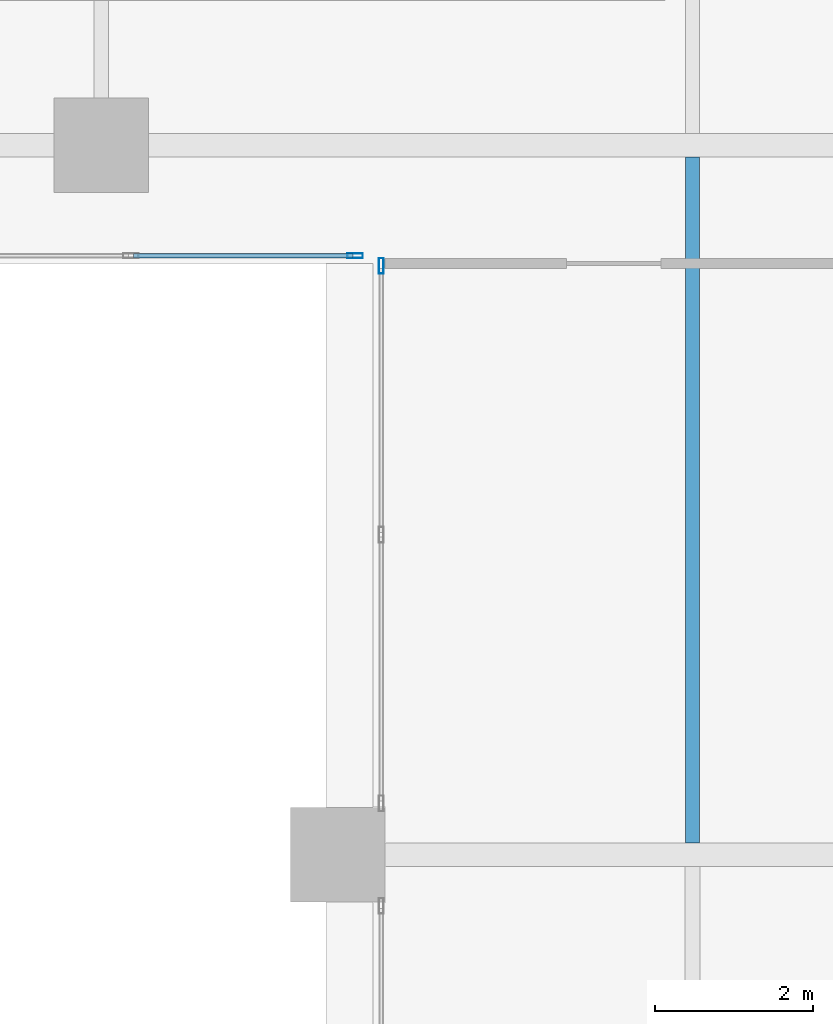
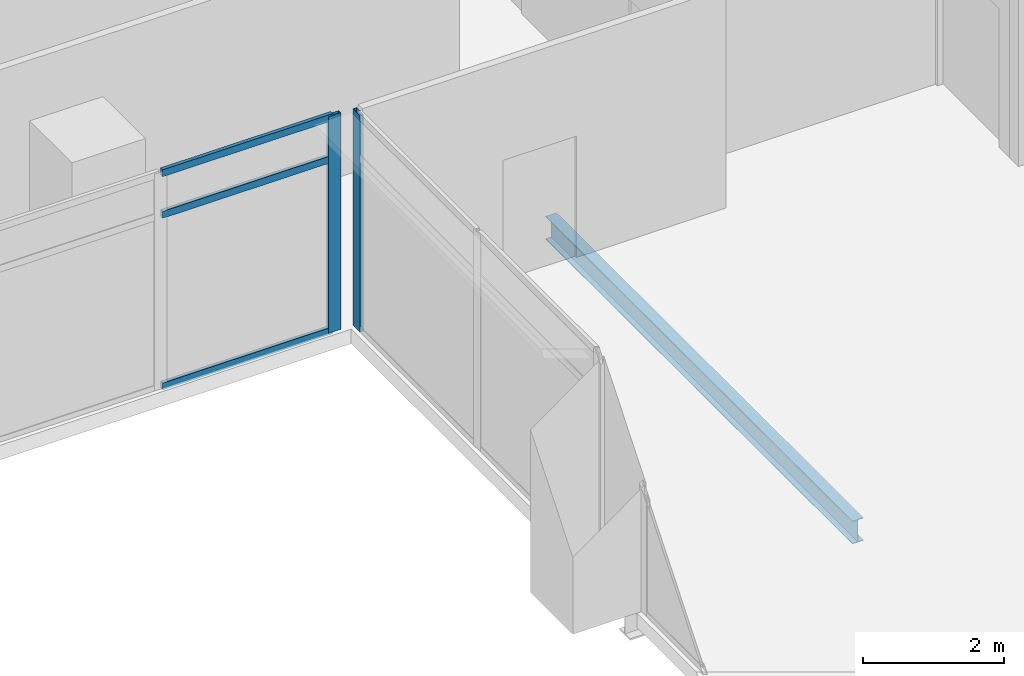
# One storey, part 13 of 37: 5 members, 1 beam, 2 elements without a shape of their own.
"""IFC4 building model written with IfcOpenShell, lengths in metres."""

from ifc_helpers import new_model, si_unit, direction, frame, origin, origin_2d, place, context, subcontext, project, spatial, hollow_rectangle, i_section, extrude, source, transform, mapped, material, material_profile, profile_set, type_object, element, aggregate, save


model = new_model("IFC4")

# Units and contexts
model_context = context("Model", 3, precision=1e-05, world=origin(), true_north=direction((0.0, 1.0)))
body_context = subcontext(model_context, "Body", "Model", "MODEL_VIEW")
ifc_project = project(units=[si_unit("LENGTHUNIT", "METRE"), si_unit("AREAUNIT", "SQUARE_METRE"), si_unit("VOLUMEUNIT", "CUBIC_METRE"), si_unit("PLANEANGLEUNIT", "RADIAN"), si_unit("MASSUNIT", "GRAM", prefix="KILO")], contexts=[model_context])

# Site, building, storey
site_placement = place(None, origin())
site = spatial("IfcSite", under=ifc_project, at=site_placement, CompositionType="ELEMENT")
building_placement = place(site_placement, origin())
building = spatial("IfcBuilding", under=site, at=building_placement, Name="Khomas Fold Tower", CompositionType="ELEMENT")
storey_placement = place(building_placement, frame((0.0, 0.0, 168.699951171875)))
storey = spatial("IfcBuildingStorey", under=building, at=storey_placement, Name="L36", CompositionType="ELEMENT", Elevation=168.699951171875)

# Beam
ifc_material_1 = material(Name="Steel S355", Category="steel")
ifc_material_profile_1 = material_profile(ifc_material_1, i_section(OverallWidth=0.179931640625, OverallDepth=0.39990234375, WebThickness=0.008544921875, FlangeThickness=0.013427734375, at=origin_2d()), Name="IPE 400")
ifc_profile_set_1 = profile_set([ifc_material_profile_1], Name="Steel S355")
beam_type = type_object("IfcBeamType", Name="IPE 400 beam JB3", PredefinedType="BEAM", material=ifc_profile_set_1)
shared_shape_1 = source(origin(), body_context, "Body", "SweptSolid", [
    extrude(i_section(OverallWidth=0.179931640625, OverallDepth=0.39990234375, WebThickness=0.008544921875, FlangeThickness=0.013427734375, at=origin_2d()), origin(), (0.0, 0.0, 1.0), 8.7001953125),
])
beam_placement = place(storey_placement, frame((42.0, 13.64990234375, -0.449951171875), z_axis=(0.0, 1.0, 0.0), x_axis=(-1.0, 0.0, 0.0)))
element("IfcBeam", 1, at=beam_placement, inside=storey, type_object=beam_type, Name="JB3", PredefinedType="BEAM", context=body_context, shape_type="MappedRepresentation", body=[
    mapped(shared_shape_1, transform((0.0, 0.0, 0.0))),
])

# Curtain wall, member
ifc_material_2 = material(Name="Aluminium framed double glazing", Category="aluminium")
curtain_wall_type = type_object("IfcCurtainWallType", Name="Notch glazing GN-CW", PredefinedType="NOTDEFINED", material=ifc_material_2)
curtain_wall_1_placement = place(storey_placement, origin())
curtain_wall_1 = element("IfcCurtainWall", 2, at=curtain_wall_1_placement, inside=storey, type_object=curtain_wall_type, Name="Notch glazing run", PredefinedType="NOTDEFINED")
ifc_material_3 = material(Name="Aluminium", Category="aluminium")
ifc_material_profile_2 = material_profile(ifc_material_3, hollow_rectangle(XDim=0.06005859375, YDim=0.199951171875, WallThickness=0.00390625, at=origin_2d()), Name="Notch glazing mullion GN-CW-M")
ifc_profile_set_2 = profile_set([ifc_material_profile_2], Name="Aluminium")
member_type_1 = type_object("IfcMemberType", Name="Notch glazing mullion GN-CW-M", PredefinedType="MULLION", material=ifc_profile_set_2)
shared_shape_2 = source(origin(), body_context, "Body", "SweptSolid", [
    extrude(hollow_rectangle(XDim=0.06005859375, YDim=0.199951171875, WallThickness=0.00390625, at=origin_2d()), origin(), (0.0, 0.0, 1.0), 3.75),
])
member_1_placement = place(storey_placement, frame((37.719970703125, 21.10009765625, 0.0), z_axis=(0.0, 0.0, 1.0), x_axis=(0.0, 1.0, 0.0)))
member_1 = element("IfcMember", 3, at=member_1_placement, type_object=member_type_1, Name="GN-CW mullion 5", PredefinedType="MULLION", context=body_context, shape_type="MappedRepresentation", body=[
    mapped(shared_shape_2, transform((0.0, 0.0, 0.0))),
])

curtain_wall_2_placement = place(storey_placement, origin())
curtain_wall_2 = element("IfcCurtainWall", 4, at=curtain_wall_2_placement, inside=storey, type_object=curtain_wall_type, Name="Notch glazing run", PredefinedType="NOTDEFINED")
member_2_placement = place(storey_placement, frame((38.050048828125, 20.969970703125, 0.0), z_axis=(0.0, 0.0, 1.0), x_axis=(1.0, 0.0, 0.0)))
member_2 = element("IfcMember", 5, at=member_2_placement, type_object=member_type_1, Name="GN-CW mullion 1", PredefinedType="MULLION", context=body_context, shape_type="MappedRepresentation", body=[
    mapped(shared_shape_2, transform((0.0, 0.0, 0.0))),
])
aggregate(curtain_wall_2, [member_2])

# Member
ifc_material_4 = material(Name="Aluminium", Category="aluminium")
ifc_material_profile_3 = material_profile(ifc_material_4, hollow_rectangle(XDim=0.06005859375, YDim=0.1201171875, WallThickness=0.00390625, at=origin_2d()), Name="Notch glazing transom GN-CW-T")
ifc_profile_set_3 = profile_set([ifc_material_profile_3], Name="Aluminium")
member_type_2 = type_object("IfcMemberType", Name="Notch glazing transom GN-CW-T", PredefinedType="USERDEFINED", material=ifc_profile_set_3)
shared_shape_3 = source(origin(), body_context, "Body", "SweptSolid", [
    extrude(hollow_rectangle(XDim=0.06005859375, YDim=0.1201171875, WallThickness=0.00390625, at=origin_2d()), origin(), (0.0, 0.0, 1.0), 2.784912109375),
])
member_3_placement = place(storey_placement, frame((34.905029296875, 21.10009765625, 0.030029296875), z_axis=(1.0, 0.0, 0.0), x_axis=(0.0, 1.0, 0.0)))
member_3 = element("IfcMember", 6, at=member_3_placement, type_object=member_type_2, Name="GN-CW transom 4.1", ObjectType="TRANSOM", PredefinedType="USERDEFINED", context=body_context, shape_type="MappedRepresentation", body=[
    mapped(shared_shape_3, transform((0.0, 0.0, 0.0))),
])

member_4_placement = place(storey_placement, frame((34.905029296875, 21.10009765625, 3.0), z_axis=(1.0, 0.0, 0.0), x_axis=(0.0, 1.0, 0.0)))
member_4 = element("IfcMember", 7, at=member_4_placement, type_object=member_type_2, Name="GN-CW transom 4.2", ObjectType="TRANSOM", PredefinedType="USERDEFINED", context=body_context, shape_type="MappedRepresentation", body=[
    mapped(shared_shape_3, transform((0.0, 0.0, 0.0))),
])

member_5_placement = place(storey_placement, frame((34.905029296875, 21.10009765625, 3.719970703125), z_axis=(1.0, 0.0, 0.0), x_axis=(0.0, 1.0, 0.0)))
member_5 = element("IfcMember", 8, at=member_5_placement, type_object=member_type_2, Name="GN-CW transom 4.3", ObjectType="TRANSOM", PredefinedType="USERDEFINED", context=body_context, shape_type="MappedRepresentation", body=[
    mapped(shared_shape_3, transform((0.0, 0.0, 0.0))),
])

aggregate(curtain_wall_1, [member_1, member_3, member_4, member_5])

save(model, "model.ifc")
